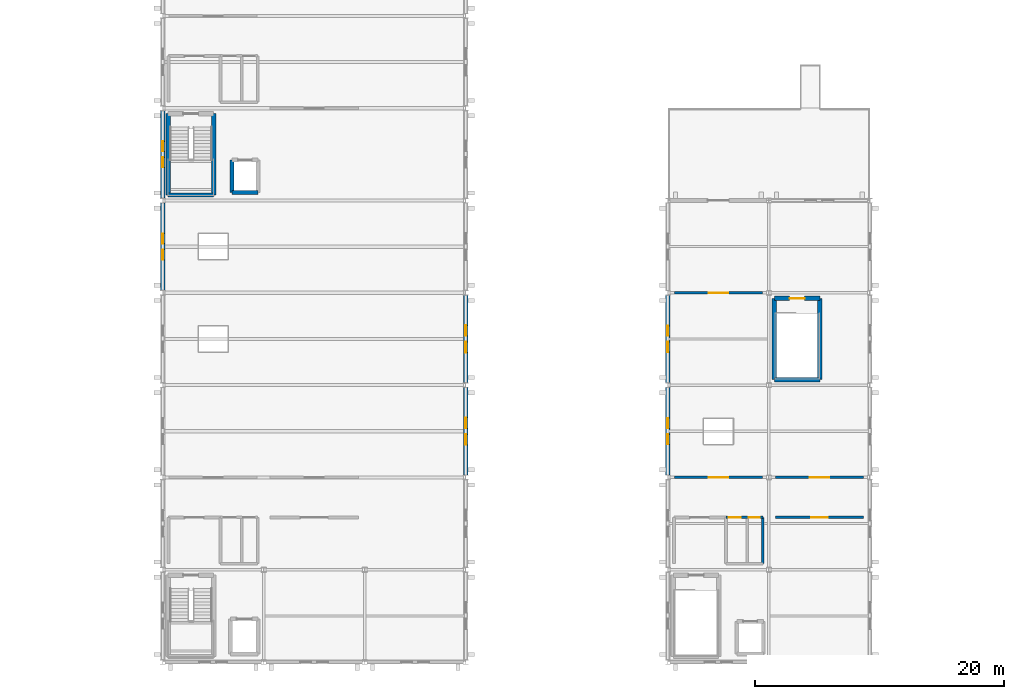
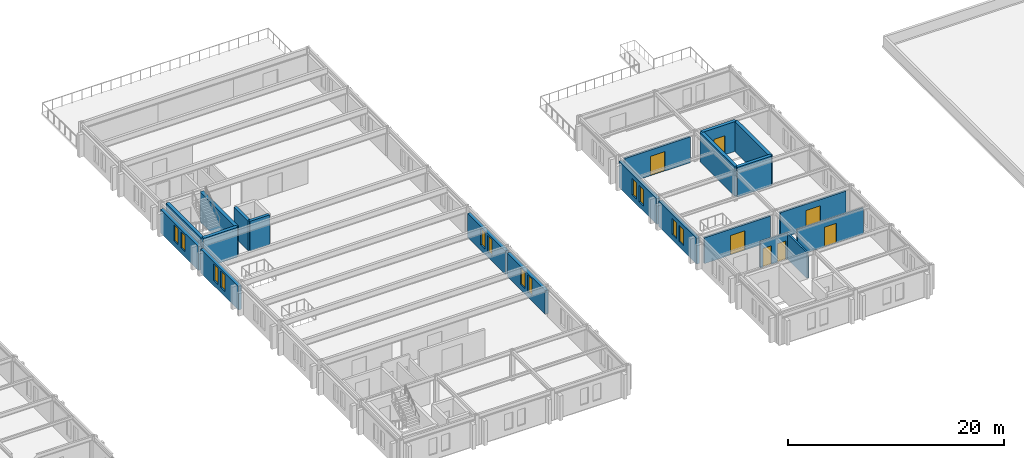
# One storey, part 12 of 19: 21 walls, 12 windows, 7 doors, 19 openings.
"""IFC4 building model written with IfcOpenShell, lengths in metres."""

import ifcopenshell
import ifcopenshell.guid

model = None  # the IFC model being written
_history = None  # IfcOwnerHistory: only IFC2X3 demands one
_inside = {}  # id of a spatial element -> (the spatial element, [elements in it])
_under = {}  # id of a project, library or spatial element -> (it, [spatial elements below it])
_declared = {}  # id of a project -> (the project, [libraries it declares])
_typed = {}  # id of a type object -> (the type object, [elements of that type])
_made_of = {}  # id of a material, layer set ... -> (it, [elements and type objects made of it])


def new_model(schema):
    """Start an empty IFC model of exactly this schema.

    Asked for "IFC4X3", IfcOpenShell would pick the latest addendum, in which some entities
    have other attributes; the version numbers below select the first issue.
    IFC2X3 requires an IfcOwnerHistory on every rooted entity: one is made here for all.
    """
    global model, _history
    if schema == "IFC4X3":
        model = ifcopenshell.file(schema_version=(4, 3, 0, 0))
    else:
        model = ifcopenshell.file(schema=schema)
    _inside.clear()
    _under.clear()
    _declared.clear()
    _typed.clear()
    _made_of.clear()
    _history = None
    if model.schema == "IFC2X3":
        org = make("IfcOrganization", Name="unknown")
        user = make(
            "IfcPersonAndOrganization",
            ThePerson=make("IfcPerson", FamilyName="unknown"),
            TheOrganization=org,
        )
        app = make(
            "IfcApplication",
            ApplicationDeveloper=org,
            Version="unknown",
            ApplicationFullName="unknown",
            ApplicationIdentifier="unknown",
        )
        _history = make(
            "IfcOwnerHistory",
            OwningUser=user,
            OwningApplication=app,
            ChangeAction="ADDED",
            CreationDate=0,
        )
    return model


def make(cls, **values):
    """One entity of the class cls with the attributes given. An attribute that is None is left unset."""
    return model.create_entity(
        cls, **{name: value for name, value in values.items() if value is not None}
    )


def rooted(cls, **values):
    """An entity with a GlobalId (a new one), such as an element, a storey or a relation."""
    return make(cls, GlobalId=ifcopenshell.guid.new(), OwnerHistory=_history, **values)


def si_unit(unit_type, name, prefix=None):
    """IfcSIUnit, for example si_unit("LENGTHUNIT", "METRE", prefix="MILLI")."""
    return make("IfcSIUnit", UnitType=unit_type, Prefix=prefix, Name=name)


def assignment(units):
    """IfcUnitAssignment: the units of a project."""
    return None if units is None else make("IfcUnitAssignment", Units=units)


def point(xyz):
    """IfcCartesianPoint."""
    return None if xyz is None else make("IfcCartesianPoint", Coordinates=xyz)


def direction(xyz):
    """IfcDirection."""
    return None if xyz is None else make("IfcDirection", DirectionRatios=xyz)


def frame(location, z_axis=None, x_axis=None):
    """IfcAxis2Placement3D, a coordinate frame: its origin and axes. An axis left out is left unset."""
    return make(
        "IfcAxis2Placement3D",
        Location=point(location),
        Axis=direction(z_axis),
        RefDirection=direction(x_axis),
    )


def frame_2d(location, x_axis=None):
    """IfcAxis2Placement2D, a coordinate frame in the plane: its origin and x axis."""
    return make(
        "IfcAxis2Placement2D", Location=point(location), RefDirection=direction(x_axis)
    )


def origin():
    """The frame at (0, 0, 0) with its axes left unset."""
    return frame((0.0, 0.0, 0.0))


def place(relative_to, where):
    """IfcLocalPlacement: puts the frame where relative to a parent placement (None: the world)."""
    return make(
        "IfcLocalPlacement", PlacementRelTo=relative_to, RelativePlacement=where
    )


def context(
    kind, dimensions, precision=None, world=None, true_north=None, identifier=None
):
    """IfcGeometricRepresentationContext, for example the 3D "Model" context."""
    return make(
        "IfcGeometricRepresentationContext",
        ContextIdentifier=identifier,
        ContextType=kind,
        CoordinateSpaceDimension=dimensions,
        Precision=precision,
        WorldCoordinateSystem=world,
        TrueNorth=true_north,
    )


def subcontext(parent, identifier, kind, view, scale=None):
    """IfcGeometricRepresentationSubContext, for example "Body" below "Model"."""
    return make(
        "IfcGeometricRepresentationSubContext",
        ContextIdentifier=identifier,
        ContextType=kind,
        ParentContext=parent,
        TargetScale=scale,
        TargetView=view,
    )


def project(units=None, contexts=None):
    """IfcProject with its units and contexts."""
    return rooted(
        "IfcProject",
        Name="project",
        RepresentationContexts=contexts,
        UnitsInContext=assignment(units),
    )


def spatial(cls, under=None, at=None, **own):
    """A site, building, storey or space (cls), placed at a placement, below another one or the project."""
    s = rooted(cls, ObjectPlacement=at, **own)
    if under is not None:
        _under.setdefault(under.id(), (under, []))[1].append(s)
    return s


def profile(cls, at=None, kind="AREA", **sizes):
    """A parametric profile (cls). Its sizes go by their IFC names, for example OverallWidth=200.0."""
    return make(cls, ProfileType=kind, Position=at, **sizes)


def rectangle(**sizes):
    """IfcRectangleProfileDef."""
    return profile("IfcRectangleProfileDef", **sizes)


def extrude(swept, where, along, depth):
    """IfcExtrudedAreaSolid: the profile swept, set in the frame where, extruded along a direction by depth."""
    return make(
        "IfcExtrudedAreaSolid",
        SweptArea=swept,
        Position=where,
        ExtrudedDirection=direction(along),
        Depth=depth,
    )


def shape(context_of_items, identifier, shape_type, items):
    """IfcShapeRepresentation: the items that make up one representation, for example the "Body"."""
    return make(
        "IfcShapeRepresentation",
        ContextOfItems=context_of_items,
        RepresentationIdentifier=identifier,
        RepresentationType=shape_type,
        Items=items,
    )


def material(Name=None, Category=None):
    """IfcMaterial."""
    return make("IfcMaterial", Name=Name, Category=Category)


def layer(
    of_material, thickness, ventilated=None, Name=None, Category=None, Priority=None
):
    """IfcMaterialLayer: one layer of a wall or slab, of a material (None: an air gap)."""
    return make(
        "IfcMaterialLayer",
        Material=of_material,
        LayerThickness=thickness,
        IsVentilated=ventilated,
        Name=Name,
        Category=Category,
        Priority=Priority,
    )


def layer_set(layers, Name=None):
    """IfcMaterialLayerSet."""
    return make("IfcMaterialLayerSet", MaterialLayers=layers, LayerSetName=Name)


def made_of(thing, what):
    """Note that an element or type object is made of a material, layer set ...; save() writes the relation."""
    if what is not None:
        _made_of.setdefault(what.id(), (what, []))[1].append(thing)
    return thing


def type_object(cls, material=None, **own):
    """A type object (cls), such as IfcWallType, which elements share."""
    return made_of(rooted(cls, **own), material)


def element(
    cls,
    number,
    at=None,
    inside=None,
    cuts=None,
    type_object=None,
    material=None,
    context=None,
    identifier="Body",
    shape_type=None,
    held_by="IfcProductDefinitionShape",
    body=None,
    shapes=None,
    **own,
):
    """One element of the class cls, such as IfcWall. Its Tag is "e" and its number.

    at: its placement. inside: the storey or other place that contains it. cuts: it is an
    opening in that element (IfcRelVoidsElement). A single representation is given by context,
    identifier, shape_type and body (its items); several are given by shapes. held_by: the class
    of the entity that holds the representations. save() writes the other relations.
    """
    e = rooted(cls, Tag="e%d" % number, ObjectPlacement=at, **own)
    if body is not None:
        shapes = [shape(context, identifier, shape_type, body)]
    if shapes is not None:
        e.Representation = make(held_by, Representations=shapes)
    if inside is not None:
        _inside.setdefault(inside.id(), (inside, []))[1].append(e)
    if cuts is not None:
        rooted(
            "IfcRelVoidsElement", RelatingBuildingElement=cuts, RelatedOpeningElement=e
        )
    if type_object is not None:
        _typed.setdefault(type_object.id(), (type_object, []))[1].append(e)
    return made_of(e, material)


def fill(opening, filler):
    """IfcRelFillsElement: the door or window that sits in an opening."""
    return rooted(
        "IfcRelFillsElement",
        RelatingOpeningElement=opening,
        RelatedBuildingElement=filler,
    )


def aggregate(whole, parts):
    """IfcRelAggregates: a whole, such as a stair, and the parts it consists of."""
    return rooted("IfcRelAggregates", RelatingObject=whole, RelatedObjects=parts)


def save(model, path):
    """Write the relations noted so far, then the file.

    IfcRelAggregates (storeys below a building ...), IfcRelContainedInSpatialStructure (elements
    in a storey), IfcRelDefinesByType, IfcRelAssociatesMaterial and IfcRelDeclares: one each for
    every whole, place, type object, material and project.
    """
    for whole, parts in _under.values():
        aggregate(whole, parts)
    for where, things in _inside.values():
        rooted(
            "IfcRelContainedInSpatialStructure",
            RelatedElements=things,
            RelatingStructure=where,
        )
    for kind, things in _typed.values():
        rooted("IfcRelDefinesByType", RelatedObjects=things, RelatingType=kind)
    for what, things in _made_of.values():
        rooted("IfcRelAssociatesMaterial", RelatedObjects=things, RelatingMaterial=what)
    for by, libraries in _declared.values():
        rooted("IfcRelDeclares", RelatingContext=by, RelatedDefinitions=libraries)
    model.write(path)


model = new_model("IFC4")

# Units and contexts
model_context = context("Model", 3, precision=1e-05, world=origin(), true_north=direction((0.0, 1.0)))
body_context = subcontext(model_context, "Body", "Model", "MODEL_VIEW")
ifc_project = project(units=[si_unit("LENGTHUNIT", "METRE"), si_unit("AREAUNIT", "SQUARE_METRE"), si_unit("VOLUMEUNIT", "CUBIC_METRE"), si_unit("PLANEANGLEUNIT", "RADIAN"), si_unit("MASSUNIT", "GRAM", prefix="KILO")], contexts=[model_context])

# Site, building, storey
site_placement = place(None, origin())
site = spatial("IfcSite", under=ifc_project, at=site_placement, CompositionType="ELEMENT")
building_placement = place(site_placement, origin())
building = spatial("IfcBuilding", under=site, at=building_placement, Name="Cimatlan Art Gallery", CompositionType="ELEMENT")
storey_placement = place(building_placement, frame((0.0, 0.0, 17.39990234375)))
storey = spatial("IfcBuildingStorey", under=building, at=storey_placement, Name="L04", CompositionType="ELEMENT", Elevation=17.39990234375)

# Walls
ifc_material_1 = material(Name="Concrete C40/50", Category="concrete")
ifc_layer_1 = layer(ifc_material_1, 0.31005859375)
ifc_layer_set_1 = layer_set([ifc_layer_1], Name="Concrete C40/50")
wall_type_1 = type_object("IfcWallType", Name="W-CORE-310", PredefinedType="SHEAR", material=ifc_layer_set_1)
wall_1_placement = place(storey_placement, frame((80.449951171875, 61.550048828125, 0.0), z_axis=(0.0, 0.0, 1.0), x_axis=(0.0, 1.0, 0.0)))
element("IfcWall", 1, at=wall_1_placement, inside=storey, type_object=wall_type_1, Name="WL-SHFT-C6-L04-LW", PredefinedType="SHEAR", context=body_context, shape_type="SweptSolid", body=[
    extrude(rectangle(XDim=2.599853515625, YDim=0.31005859375, at=frame_2d((1.2998046875, 0.0))), origin(), (0.0, 0.0, 1.0), 3.375),
])
wall_2_placement = place(storey_placement, frame((80.449951171875, 61.550048828125, 0.0), z_axis=(0.0, 0.0, 1.0), x_axis=(1.0, 0.0, 0.0)))
element("IfcWall", 2, at=wall_2_placement, inside=storey, type_object=wall_type_1, Name="WL-SHFT-C6-L04-LS", PredefinedType="SHEAR", context=body_context, shape_type="SweptSolid", body=[
    extrude(rectangle(XDim=2.10009765625, YDim=0.31005859375, at=frame_2d((1.050048828125, 0.0))), origin(), (0.0, 0.0, 1.0), 3.375),
])
ifc_layer_2 = layer(ifc_material_1, 0.35009765625)
ifc_layer_set_2 = layer_set([ifc_layer_2], Name="Concrete C40/50")
wall_type_2 = type_object("IfcWallType", Name="W-CORE-350", PredefinedType="SHEAR", material=ifc_layer_set_2)
wall_3_placement = place(storey_placement, frame((75.340087890625, 61.340087890625, 0.0), z_axis=(0.0, 0.0, 1.0), x_axis=(0.0, 1.0, 0.0)))
element("IfcWall", 3, at=wall_3_placement, inside=storey, type_object=wall_type_2, Name="WL-CORE-C6-L04-SW", PredefinedType="SHEAR", context=body_context, shape_type="SweptSolid", body=[
    extrude(rectangle(XDim=6.52001953125, YDim=0.35009765625, at=frame_2d((3.260009765625, 0.0))), origin(), (0.0, 0.0, 1.0), 3.375),
])
wall_4_placement = place(storey_placement, frame((75.340087890625, 61.340087890625, 0.0), z_axis=(0.0, 0.0, 1.0), x_axis=(1.0, 0.0, 0.0)))
element("IfcWall", 4, at=wall_4_placement, inside=storey, type_object=wall_type_2, Name="WL-CORE-C6-L04-SS", PredefinedType="SHEAR", context=body_context, shape_type="SweptSolid", body=[
    extrude(rectangle(XDim=3.639892578125, YDim=0.35009765625, at=frame_2d((1.81982421875, 0.0))), origin(), (0.0, 0.0, 1.0), 3.375),
])
for number, where, z_axis, x_axis, name in (
    (5, (78.97998046875, 61.340087890625, 0.0), (0.0, 0.0, 1.0), (0.0, 1.0, 0.0), "WL-CORE-C6-L04-SE"),
    (6, (123.93994140625, 46.5400390625, 0.0), (0.0, 0.0, 1.0), (0.0, 1.0, 0.0), "WL-CORE-C9-L04-SW"),
):
    element("IfcWall", number, at=place(storey_placement, frame(where, z_axis=z_axis, x_axis=x_axis)), inside=storey, type_object=wall_type_2, Name=name, PredefinedType="SHEAR", context=body_context, shape_type="SweptSolid", body=[
        extrude(rectangle(XDim=6.52001953125, YDim=0.35009765625, at=frame_2d((3.260009765625, 0.0))), origin(), (0.0, 0.0, 1.0), 3.375),
    ])
wall_5_placement = place(storey_placement, frame((123.93994140625, 46.5400390625, 0.0), z_axis=(0.0, 0.0, 1.0), x_axis=(1.0, 0.0, 0.0)))
element("IfcWall", 7, at=wall_5_placement, inside=storey, type_object=wall_type_2, Name="WL-CORE-C9-L04-SS", PredefinedType="SHEAR", context=body_context, shape_type="SweptSolid", body=[
    extrude(rectangle(XDim=3.64013671875, YDim=0.35009765625, at=frame_2d((1.820068359375, 0.0))), origin(), (0.0, 0.0, 1.0), 3.375),
])
wall_6_placement = place(storey_placement, frame((127.580078125, 46.5400390625, 0.0), z_axis=(0.0, 0.0, 1.0), x_axis=(0.0, 1.0, 0.0)))
element("IfcWall", 8, at=wall_6_placement, inside=storey, type_object=wall_type_2, Name="WL-CORE-C9-L04-SE", PredefinedType="SHEAR", context=body_context, shape_type="SweptSolid", body=[
    extrude(rectangle(XDim=6.52001953125, YDim=0.35009765625, at=frame_2d((3.260009765625, 0.0))), origin(), (0.0, 0.0, 1.0), 3.375),
])

# Wall, opening, door
wall_7_placement = place(storey_placement, frame((123.93994140625, 53.06005859375, 0.0), z_axis=(0.0, 0.0, 1.0), x_axis=(1.0, 0.0, 0.0)))
wall_7 = element("IfcWall", 9, at=wall_7_placement, inside=storey, type_object=wall_type_2, Name="WL-CORE-C9-L04-SN", PredefinedType="SHEAR", context=body_context, shape_type="SweptSolid", body=[
    extrude(rectangle(XDim=3.64013671875, YDim=0.35009765625, at=frame_2d((1.820068359375, 0.0))), origin(), (0.0, 0.0, 1.0), 3.375),
])
opening_1_placement = place(wall_7_placement, frame((1.219970703125, 0.0, 0.0)))
opening_1 = element("IfcOpeningElement", 10, at=opening_1_placement, cuts=wall_7, Name="Opening FD-C9-L04", PredefinedType="OPENING", context=body_context, shape_type="SweptSolid", body=[
    extrude(rectangle(XDim=1.199951171875, YDim=2.14990234375, at=frame_2d((0.60009765625, 1.074951171875))), frame((0.0, 0.18505859375, 0.0), z_axis=(0.0, -1.0, 0.0), x_axis=(1.0, 0.0, 0.0)), (0.0, 0.0, 1.0), 0.3701171875),
])
ifc_material_2 = material(Name="Fire-resisting steel acoustic stair door", Category="steel")
door_type_1 = type_object("IfcDoorType", Name="FD-ST-1200", OperationType="NOTDEFINED", PredefinedType="DOOR", material=ifc_material_2)
door_1_placement = place(opening_1_placement, origin())
door_1 = element("IfcDoor", 11, at=door_1_placement, inside=storey, type_object=door_type_1, Name="DR-C9-L04-ST", OperationType="SINGLE_SWING_RIGHT", OverallHeight=2.14990234375, OverallWidth=1.199951171875, PredefinedType="DOOR", context=body_context, shape_type="SweptSolid", body=[
    extrude(rectangle(XDim=1.199951171875, YDim=2.14990234375, at=frame_2d((0.60009765625, 1.074951171875))), frame((0.0, 0.02490234375, 0.0), z_axis=(0.0, -1.0, 0.0), x_axis=(1.0, 0.0, 0.0)), (0.0, 0.0, 1.0), 0.050048828125),
])
fill(opening_1, door_1)

ifc_material_3 = material(Name="Acoustic gypsum and steel stud partition", Category="steel")
ifc_layer_3 = layer(ifc_material_3, 0.205078125)
ifc_layer_set_3 = layer_set([ifc_layer_3], Name="Acoustic gypsum and steel stud partition")
wall_type_3 = type_object("IfcWallType", Name="W-GAL-205", PredefinedType="PARTITIONING", material=ifc_layer_set_3)
wall_8_placement = place(storey_placement, frame((115.919921875, 38.699951171875, 0.0), z_axis=(0.0, 0.0, 1.0), x_axis=(1.0, 0.0, 0.0)))
wall_8 = element("IfcWall", 12, at=wall_8_placement, inside=storey, type_object=wall_type_3, Name="WL-RM-L04-GAL-E1", PredefinedType="PARTITIONING", context=body_context, shape_type="SweptSolid", body=[
    extrude(rectangle(XDim=7.06005859375, YDim=0.205078125, at=frame_2d((3.530029296875, 0.0))), origin(), (0.0, 0.0, 1.0), 2.9130859375),
])
opening_2_placement = place(wall_8_placement, frame((2.7548828125, 0.0, 0.0)))
opening_2 = element("IfcOpeningElement", 13, at=opening_2_placement, cuts=wall_8, Name="Opening DI-0271", PredefinedType="OPENING", context=body_context, shape_type="SweptSolid", body=[
    extrude(rectangle(XDim=1.550048828125, YDim=2.199951171875, at=frame_2d((0.77490234375, 1.10009765625))), frame((0.0, 0.112548828125, 0.0), z_axis=(0.0, -1.0, 0.0), x_axis=(1.0, 0.0, 0.0)), (0.0, 0.0, 1.0), 0.22509765625),
])
ifc_material_4 = material(Name="European oak upper gallery door")
door_type_2 = type_object("IfcDoorType", Name="DI-GL-1550", OperationType="NOTDEFINED", PredefinedType="DOOR", material=ifc_material_4)
door_2_placement = place(opening_2_placement, origin())
door_2 = element("IfcDoor", 14, at=door_2_placement, inside=storey, type_object=door_type_2, Name="DR-RM-L04-GAL-E1", OperationType="SINGLE_SWING_LEFT", OverallHeight=2.199951171875, OverallWidth=1.550048828125, PredefinedType="DOOR", context=body_context, shape_type="SweptSolid", body=[
    extrude(rectangle(XDim=1.550048828125, YDim=2.199951171875, at=frame_2d((0.77490234375, 1.10009765625))), frame((0.0, 0.02490234375, 0.0), z_axis=(0.0, -1.0, 0.0), x_axis=(1.0, 0.0, 0.0)), (0.0, 0.0, 1.0), 0.050048828125),
])
fill(opening_2, door_2)

wall_9_placement = place(storey_placement, frame((124.02001953125, 38.699951171875, 0.0), z_axis=(0.0, 0.0, 1.0), x_axis=(1.0, 0.0, 0.0)))
wall_9 = element("IfcWall", 15, at=wall_9_placement, inside=storey, type_object=wall_type_3, Name="WL-RM-L04-GAL-E2", PredefinedType="PARTITIONING", context=body_context, shape_type="SweptSolid", body=[
    extrude(rectangle(XDim=7.06005859375, YDim=0.205078125, at=frame_2d((3.530029296875, 0.0))), origin(), (0.0, 0.0, 1.0), 2.9130859375),
])
opening_3_placement = place(wall_9_placement, frame((2.7548828125, 0.0, 0.0)))
opening_3 = element("IfcOpeningElement", 16, at=opening_3_placement, cuts=wall_9, Name="Opening DI-0272", PredefinedType="OPENING", context=body_context, shape_type="SweptSolid", body=[
    extrude(rectangle(XDim=1.550048828125, YDim=2.199951171875, at=frame_2d((0.77490234375, 1.10009765625))), frame((0.0, 0.112548828125, 0.0), z_axis=(0.0, -1.0, 0.0), x_axis=(1.0, 0.0, 0.0)), (0.0, 0.0, 1.0), 0.22509765625),
])
door_3_placement = place(opening_3_placement, origin())
door_3 = element("IfcDoor", 17, at=door_3_placement, inside=storey, type_object=door_type_2, Name="DR-RM-L04-GAL-E2", OperationType="SINGLE_SWING_RIGHT", OverallHeight=2.199951171875, OverallWidth=1.550048828125, PredefinedType="DOOR", context=body_context, shape_type="SweptSolid", body=[
    extrude(rectangle(XDim=1.550048828125, YDim=2.199951171875, at=frame_2d((0.77490234375, 1.10009765625))), frame((0.0, 0.02490234375, 0.0), z_axis=(0.0, -1.0, 0.0), x_axis=(1.0, 0.0, 0.0)), (0.0, 0.0, 1.0), 0.050048828125),
])
fill(opening_3, door_3)

wall_10_placement = place(storey_placement, frame((115.919921875, 53.5, 0.0), z_axis=(0.0, 0.0, 1.0), x_axis=(1.0, 0.0, 0.0)))
wall_10 = element("IfcWall", 18, at=wall_10_placement, inside=storey, type_object=wall_type_3, Name="WL-RM-L04-GAL-E3", PredefinedType="PARTITIONING", context=body_context, shape_type="SweptSolid", body=[
    extrude(rectangle(XDim=7.06005859375, YDim=0.205078125, at=frame_2d((3.530029296875, 0.0))), origin(), (0.0, 0.0, 1.0), 2.9130859375),
])
opening_4_placement = place(wall_10_placement, frame((2.7548828125, 0.0, 0.0)))
opening_4 = element("IfcOpeningElement", 19, at=opening_4_placement, cuts=wall_10, Name="Opening DI-0273", PredefinedType="OPENING", context=body_context, shape_type="SweptSolid", body=[
    extrude(rectangle(XDim=1.550048828125, YDim=2.199951171875, at=frame_2d((0.77490234375, 1.10009765625))), frame((0.0, 0.112548828125, 0.0), z_axis=(0.0, -1.0, 0.0), x_axis=(1.0, 0.0, 0.0)), (0.0, 0.0, 1.0), 0.22509765625),
])
door_4_placement = place(opening_4_placement, origin())
door_4 = element("IfcDoor", 20, at=door_4_placement, inside=storey, type_object=door_type_2, Name="DR-RM-L04-GAL-E3", OperationType="SINGLE_SWING_LEFT", OverallHeight=2.199951171875, OverallWidth=1.550048828125, PredefinedType="DOOR", context=body_context, shape_type="SweptSolid", body=[
    extrude(rectangle(XDim=1.550048828125, YDim=2.199951171875, at=frame_2d((0.77490234375, 1.10009765625))), frame((0.0, 0.02490234375, 0.0), z_axis=(0.0, -1.0, 0.0), x_axis=(1.0, 0.0, 0.0)), (0.0, 0.0, 1.0), 0.050048828125),
])
fill(opening_4, door_4)

# Wall
ifc_material_5 = material(Name="Moisture-resistant fire-rated plumbing wall")
ifc_layer_4 = layer(ifc_material_5, 0.195068359375)
ifc_layer_set_4 = layer_set([ifc_layer_4], Name="Moisture-resistant fire-rated plumbing wall")
wall_type_4 = type_object("IfcWallType", Name="W-PLM-195", PredefinedType="PARTITIONING", material=ifc_layer_set_4)
wall_11_placement = place(storey_placement, frame((123.02001953125, 31.780029296875, 0.0), z_axis=(0.0, 0.0, 1.0), x_axis=(0.0, 1.0, 0.0)))
element("IfcWall", 21, at=wall_11_placement, inside=storey, type_object=wall_type_4, Name="WL-LOB-C4-L04-E", PredefinedType="PARTITIONING", context=body_context, shape_type="SweptSolid", body=[
    extrude(rectangle(XDim=3.719970703125, YDim=0.195068359375, at=frame_2d((1.85986328125, 0.0))), origin(), (0.0, 0.0, 1.0), 2.9130859375),
])

# Wall, openings, doors
wall_12_placement = place(storey_placement, frame((120.050048828125, 35.5, 0.0), z_axis=(0.0, 0.0, 1.0), x_axis=(1.0, 0.0, 0.0)))
wall_12 = element("IfcWall", 22, at=wall_12_placement, inside=storey, type_object=wall_type_4, Name="WL-WC-C4-L04-N", PredefinedType="PARTITIONING", context=body_context, shape_type="SweptSolid", body=[
    extrude(rectangle(XDim=2.969970703125, YDim=0.195068359375, at=frame_2d((1.48486328125, 0.0))), origin(), (0.0, 0.0, 1.0), 2.9130859375),
])
opening_5_placement = place(wall_12_placement, frame((0.25, 0.0, 0.0)))
opening_5 = element("IfcOpeningElement", 23, at=opening_5_placement, cuts=wall_12, Name="Opening DWC-C4A-L04", PredefinedType="OPENING", context=body_context, shape_type="SweptSolid", body=[
    extrude(rectangle(XDim=0.949951171875, YDim=2.10009765625, at=frame_2d((0.47509765625, 1.050048828125))), frame((0.0, 0.107421875, 0.0), z_axis=(0.0, -1.0, 0.0), x_axis=(1.0, 0.0, 0.0)), (0.0, 0.0, 1.0), 0.215087890625),
])
opening_6_placement = place(wall_12_placement, frame((1.820068359375, 0.0, 0.0)))
opening_6 = element("IfcOpeningElement", 24, at=opening_6_placement, cuts=wall_12, Name="Opening DWC-C4B-L04", PredefinedType="OPENING", context=body_context, shape_type="SweptSolid", body=[
    extrude(rectangle(XDim=0.89990234375, YDim=2.10009765625, at=frame_2d((0.449951171875, 1.050048828125))), frame((0.0, 0.107421875, 0.0), z_axis=(0.0, -1.0, 0.0), x_axis=(1.0, 0.0, 0.0)), (0.0, 0.0, 1.0), 0.215087890625),
])
ifc_material_6 = material(Name="Sanitary room door")
door_type_3 = type_object("IfcDoorType", Name="DI-WC-0900", OperationType="NOTDEFINED", PredefinedType="DOOR", material=ifc_material_6)
door_5_placement = place(opening_6_placement, origin())
door_5 = element("IfcDoor", 25, at=door_5_placement, inside=storey, type_object=door_type_3, Name="DR-PWC-C4-L04", OperationType="SINGLE_SWING_RIGHT", OverallHeight=2.10009765625, OverallWidth=0.89990234375, PredefinedType="DOOR", context=body_context, shape_type="SweptSolid", body=[
    extrude(rectangle(XDim=0.89990234375, YDim=2.10009765625, at=frame_2d((0.449951171875, 1.050048828125))), frame((0.0, 0.02490234375, 0.0), z_axis=(0.0, -1.0, 0.0), x_axis=(1.0, 0.0, 0.0)), (0.0, 0.0, 1.0), 0.050048828125),
])
fill(opening_6, door_5)
ifc_material_7 = material(Name="Accessible sanitary room door")
door_type_4 = type_object("IfcDoorType", Name="DI-WC-0950", OperationType="NOTDEFINED", PredefinedType="DOOR", material=ifc_material_7)
door_6_placement = place(opening_5_placement, origin())
door_6 = element("IfcDoor", 26, at=door_6_placement, inside=storey, type_object=door_type_4, Name="DR-AWC-C4-L04", OperationType="SINGLE_SWING_LEFT", OverallHeight=2.10009765625, OverallWidth=0.949951171875, PredefinedType="DOOR", context=body_context, shape_type="SweptSolid", body=[
    extrude(rectangle(XDim=0.949951171875, YDim=2.10009765625, at=frame_2d((0.47509765625, 1.050048828125))), frame((0.0, 0.02490234375, 0.0), z_axis=(0.0, -1.0, 0.0), x_axis=(1.0, 0.0, 0.0)), (0.0, 0.0, 1.0), 0.050048828125),
])
fill(opening_5, door_6)

# Wall, opening, door
ifc_layer_5 = layer(ifc_material_3, 0.179931640625)
ifc_layer_set_5 = layer_set([ifc_layer_5], Name="Acoustic gypsum and steel stud partition")
wall_type_5 = type_object("IfcWallType", Name="W-STD-180", PredefinedType="PARTITIONING", material=ifc_layer_set_5)
wall_13_placement = place(storey_placement, frame((124.02001953125, 35.5, 0.0), z_axis=(0.0, 0.0, 1.0), x_axis=(1.0, 0.0, 0.0)))
wall_13 = element("IfcWall", 27, at=wall_13_placement, inside=storey, type_object=wall_type_5, Name="WL-RM-L04-CNS-01", PredefinedType="PARTITIONING", context=body_context, shape_type="SweptSolid", body=[
    extrude(rectangle(XDim=7.06005859375, YDim=0.179931640625, at=frame_2d((3.530029296875, 0.0))), origin(), (0.0, 0.0, 1.0), 2.9130859375),
])
opening_7_placement = place(wall_13_placement, frame((2.8798828125, 0.0, 0.0)))
opening_7 = element("IfcOpeningElement", 28, at=opening_7_placement, cuts=wall_13, Name="Opening DI-0270", PredefinedType="OPENING", context=body_context, shape_type="SweptSolid", body=[
    extrude(rectangle(XDim=1.300048828125, YDim=2.199951171875, at=frame_2d((0.64990234375, 1.10009765625))), frame((0.0, 0.10009765625, 0.0), z_axis=(0.0, -1.0, 0.0), x_axis=(1.0, 0.0, 0.0)), (0.0, 0.0, 1.0), 0.199951171875),
])
ifc_material_8 = material(Name="Conservation laboratory double-leaf door")
door_type_5 = type_object("IfcDoorType", Name="DI-CN-1300", OperationType="NOTDEFINED", PredefinedType="DOOR", material=ifc_material_8)
door_7_placement = place(opening_7_placement, origin())
door_7 = element("IfcDoor", 29, at=door_7_placement, inside=storey, type_object=door_type_5, Name="DR-RM-L04-CNS-01", OperationType="SINGLE_SWING_RIGHT", OverallHeight=2.199951171875, OverallWidth=1.300048828125, PredefinedType="DOOR", context=body_context, shape_type="SweptSolid", body=[
    extrude(rectangle(XDim=1.300048828125, YDim=2.199951171875, at=frame_2d((0.64990234375, 1.10009765625))), frame((0.0, 0.02490234375, 0.0), z_axis=(0.0, -1.0, 0.0), x_axis=(1.0, 0.0, 0.0)), (0.0, 0.0, 1.0), 0.050048828125),
])
fill(opening_7, door_7)

# Wall, openings, windows
ifc_material_9 = material(Name="Precast concrete C40/50", Category="concrete")
ifc_layer_6 = layer(ifc_material_9, 0.340087890625)
ifc_layer_set_6 = layer_set([ifc_layer_6], Name="Precast concrete C40/50")
wall_type_6 = type_object("IfcWallType", Name="WL-EXT-STD-340", PredefinedType="SOLIDWALL", material=ifc_layer_set_6)
wall_14_placement = place(storey_placement, frame((74.89990234375, 53.69189453125, 0.0), z_axis=(0.0, 0.0, 1.0), x_axis=(0.0, 1.0, 0.0)))
wall_14 = element("IfcWall", 30, at=wall_14_placement, inside=storey, type_object=wall_type_6, Name="WL-EXT-L04-09-07-W", PredefinedType="SOLIDWALL", context=body_context, shape_type="SweptSolid", body=[
    extrude(rectangle(XDim=7.01611328125, YDim=0.340087890625, at=frame_2d((3.508056640625, 0.0))), origin(), (0.0, 0.0, 1.0), 2.68115234375),
])
opening_8_placement = place(wall_14_placement, frame((2.4580078125, 0.0, 0.60009765625)))
opening_8 = element("IfcOpeningElement", 31, at=opening_8_placement, cuts=wall_14, Name="Opening WN-0341", PredefinedType="OPENING", context=body_context, shape_type="SweptSolid", body=[
    extrude(rectangle(XDim=0.81005859375, YDim=1.840087890625, at=frame_2d((0.405029296875, 0.919921875))), frame((0.0, 0.18017578125, 0.0), z_axis=(0.0, -1.0, 0.0), x_axis=(1.0, 0.0, 0.0)), (0.0, 0.0, 1.0), 0.360107421875),
])
opening_9_placement = place(wall_14_placement, frame((3.748046875, 0.0, 0.60009765625)))
opening_9 = element("IfcOpeningElement", 32, at=opening_9_placement, cuts=wall_14, Name="Opening WN-0342", PredefinedType="OPENING", context=body_context, shape_type="SweptSolid", body=[
    extrude(rectangle(XDim=0.81005859375, YDim=1.840087890625, at=frame_2d((0.405029296875, 0.919921875))), frame((0.0, 0.18017578125, 0.0), z_axis=(0.0, -1.0, 0.0), x_axis=(1.0, 0.0, 0.0)), (0.0, 0.0, 1.0), 0.360107421875),
])
ifc_material_10 = material(Name="Low-E laminated double glazing in bronze lancet frame", Category="glass")
window_type_1 = type_object("IfcWindowType", Name="WIN-W-L04-0810X1840", PartitioningType="SINGLE_PANEL", PredefinedType="WINDOW", material=ifc_material_10)
window_1_placement = place(opening_8_placement, origin())
window_1 = element("IfcWindow", 33, at=window_1_placement, inside=storey, type_object=window_type_1, Name="WIN-0341", OverallHeight=1.840087890625, OverallWidth=0.81005859375, PartitioningType="SINGLE_PANEL", PredefinedType="WINDOW", context=body_context, shape_type="SweptSolid", body=[
    extrude(rectangle(XDim=0.81005859375, YDim=1.840087890625, at=frame_2d((0.405029296875, 0.919921875))), frame((0.0, 0.030029296875, 0.0), z_axis=(0.0, -1.0, 0.0), x_axis=(1.0, 0.0, 0.0)), (0.0, 0.0, 1.0), 0.06005859375),
])
fill(opening_8, window_1)
window_2_placement = place(opening_9_placement, origin())
window_2 = element("IfcWindow", 34, at=window_2_placement, inside=storey, type_object=window_type_1, Name="WIN-0342", OverallHeight=1.840087890625, OverallWidth=0.81005859375, PartitioningType="SINGLE_PANEL", PredefinedType="WINDOW", context=body_context, shape_type="SweptSolid", body=[
    extrude(rectangle(XDim=0.81005859375, YDim=1.840087890625, at=frame_2d((0.405029296875, 0.919921875))), frame((0.0, 0.030029296875, 0.0), z_axis=(0.0, -1.0, 0.0), x_axis=(1.0, 0.0, 0.0)), (0.0, 0.0, 1.0), 0.06005859375),
])
fill(opening_9, window_2)

wall_15_placement = place(storey_placement, frame((74.89990234375, 61.092041015625, 0.0), z_axis=(0.0, 0.0, 1.0), x_axis=(0.0, 1.0, 0.0)))
wall_15 = element("IfcWall", 35, at=wall_15_placement, inside=storey, type_object=wall_type_6, Name="WL-EXT-L04-09-08-W", PredefinedType="SOLIDWALL", context=body_context, shape_type="SweptSolid", body=[
    extrude(rectangle(XDim=7.015869140625, YDim=0.340087890625, at=frame_2d((3.5078125, 0.0))), origin(), (0.0, 0.0, 1.0), 2.68115234375),
])
opening_10_placement = place(wall_15_placement, frame((2.4580078125, 0.0, 0.60009765625)))
opening_10 = element("IfcOpeningElement", 36, at=opening_10_placement, cuts=wall_15, Name="Opening WN-0343", PredefinedType="OPENING", context=body_context, shape_type="SweptSolid", body=[
    extrude(rectangle(XDim=0.81005859375, YDim=1.840087890625, at=frame_2d((0.405029296875, 0.919921875))), frame((0.0, 0.18017578125, 0.0), z_axis=(0.0, -1.0, 0.0), x_axis=(1.0, 0.0, 0.0)), (0.0, 0.0, 1.0), 0.360107421875),
])
opening_11_placement = place(wall_15_placement, frame((3.748046875, 0.0, 0.60009765625)))
opening_11 = element("IfcOpeningElement", 37, at=opening_11_placement, cuts=wall_15, Name="Opening WN-0344", PredefinedType="OPENING", context=body_context, shape_type="SweptSolid", body=[
    extrude(rectangle(XDim=0.81005859375, YDim=1.840087890625, at=frame_2d((0.405029296875, 0.919921875))), frame((0.0, 0.18017578125, 0.0), z_axis=(0.0, -1.0, 0.0), x_axis=(1.0, 0.0, 0.0)), (0.0, 0.0, 1.0), 0.360107421875),
])
window_3_placement = place(opening_10_placement, origin())
window_3 = element("IfcWindow", 38, at=window_3_placement, inside=storey, type_object=window_type_1, Name="WIN-0343", OverallHeight=1.840087890625, OverallWidth=0.81005859375, PartitioningType="SINGLE_PANEL", PredefinedType="WINDOW", context=body_context, shape_type="SweptSolid", body=[
    extrude(rectangle(XDim=0.81005859375, YDim=1.840087890625, at=frame_2d((0.405029296875, 0.919921875))), frame((0.0, 0.030029296875, 0.0), z_axis=(0.0, -1.0, 0.0), x_axis=(1.0, 0.0, 0.0)), (0.0, 0.0, 1.0), 0.06005859375),
])
fill(opening_10, window_3)
window_4_placement = place(opening_11_placement, origin())
window_4 = element("IfcWindow", 39, at=window_4_placement, inside=storey, type_object=window_type_1, Name="WIN-0344", OverallHeight=1.840087890625, OverallWidth=0.81005859375, PartitioningType="SINGLE_PANEL", PredefinedType="WINDOW", context=body_context, shape_type="SweptSolid", body=[
    extrude(rectangle(XDim=0.81005859375, YDim=1.840087890625, at=frame_2d((0.405029296875, 0.919921875))), frame((0.0, 0.030029296875, 0.0), z_axis=(0.0, -1.0, 0.0), x_axis=(1.0, 0.0, 0.0)), (0.0, 0.0, 1.0), 0.06005859375),
])
fill(opening_11, window_4)

wall_16_placement = place(storey_placement, frame((99.199951171875, 45.907958984375, 0.0), z_axis=(0.0, 0.0, 1.0), x_axis=(0.0, -1.0, 0.0)))
wall_16 = element("IfcWall", 40, at=wall_16_placement, inside=storey, type_object=wall_type_6, Name="WL-EXT-L04-11-05-E", PredefinedType="SOLIDWALL", context=body_context, shape_type="SweptSolid", body=[
    extrude(rectangle(XDim=7.015869140625, YDim=0.340087890625, at=frame_2d((3.5078125, 0.0))), origin(), (0.0, 0.0, 1.0), 2.68115234375),
])
opening_12_placement = place(wall_16_placement, frame((2.41796875, 0.0, 0.60009765625)))
opening_12 = element("IfcOpeningElement", 41, at=opening_12_placement, cuts=wall_16, Name="Opening WN-0357", PredefinedType="OPENING", context=body_context, shape_type="SweptSolid", body=[
    extrude(rectangle(XDim=0.85009765625, YDim=1.8798828125, at=frame_2d((0.425048828125, 0.93994140625))), frame((0.0, 0.18017578125, 0.0), z_axis=(0.0, -1.0, 0.0), x_axis=(1.0, 0.0, 0.0)), (0.0, 0.0, 1.0), 0.360107421875),
])
opening_13_placement = place(wall_16_placement, frame((3.748046875, 0.0, 0.60009765625)))
opening_13 = element("IfcOpeningElement", 42, at=opening_13_placement, cuts=wall_16, Name="Opening WN-0358", PredefinedType="OPENING", context=body_context, shape_type="SweptSolid", body=[
    extrude(rectangle(XDim=0.85009765625, YDim=1.8798828125, at=frame_2d((0.425048828125, 0.93994140625))), frame((0.0, 0.18017578125, 0.0), z_axis=(0.0, -1.0, 0.0), x_axis=(1.0, 0.0, 0.0)), (0.0, 0.0, 1.0), 0.360107421875),
])
window_type_2 = type_object("IfcWindowType", Name="WIN-E-L04-0850X1880", PartitioningType="SINGLE_PANEL", PredefinedType="WINDOW", material=ifc_material_10)
window_5_placement = place(opening_12_placement, origin())
window_5 = element("IfcWindow", 43, at=window_5_placement, inside=storey, type_object=window_type_2, Name="WIN-0357", OverallHeight=1.8798828125, OverallWidth=0.85009765625, PartitioningType="SINGLE_PANEL", PredefinedType="WINDOW", context=body_context, shape_type="SweptSolid", body=[
    extrude(rectangle(XDim=0.85009765625, YDim=1.8798828125, at=frame_2d((0.425048828125, 0.93994140625))), frame((0.0, 0.030029296875, 0.0), z_axis=(0.0, -1.0, 0.0), x_axis=(1.0, 0.0, 0.0)), (0.0, 0.0, 1.0), 0.06005859375),
])
fill(opening_12, window_5)
window_6_placement = place(opening_13_placement, origin())
window_6 = element("IfcWindow", 44, at=window_6_placement, inside=storey, type_object=window_type_2, Name="WIN-0358", OverallHeight=1.8798828125, OverallWidth=0.85009765625, PartitioningType="SINGLE_PANEL", PredefinedType="WINDOW", context=body_context, shape_type="SweptSolid", body=[
    extrude(rectangle(XDim=0.85009765625, YDim=1.8798828125, at=frame_2d((0.425048828125, 0.93994140625))), frame((0.0, 0.030029296875, 0.0), z_axis=(0.0, -1.0, 0.0), x_axis=(1.0, 0.0, 0.0)), (0.0, 0.0, 1.0), 0.06005859375),
])
fill(opening_13, window_6)

wall_17_placement = place(storey_placement, frame((99.199951171875, 53.30810546875, 0.0), z_axis=(0.0, 0.0, 1.0), x_axis=(0.0, -1.0, 0.0)))
wall_17 = element("IfcWall", 45, at=wall_17_placement, inside=storey, type_object=wall_type_6, Name="WL-EXT-L04-11-06-E", PredefinedType="SOLIDWALL", context=body_context, shape_type="SweptSolid", body=[
    extrude(rectangle(XDim=7.01611328125, YDim=0.340087890625, at=frame_2d((3.508056640625, 0.0))), origin(), (0.0, 0.0, 1.0), 2.68115234375),
])
opening_14_placement = place(wall_17_placement, frame((2.41796875, 0.0, 0.60009765625)))
opening_14 = element("IfcOpeningElement", 46, at=opening_14_placement, cuts=wall_17, Name="Opening WN-0359", PredefinedType="OPENING", context=body_context, shape_type="SweptSolid", body=[
    extrude(rectangle(XDim=0.85009765625, YDim=1.8798828125, at=frame_2d((0.425048828125, 0.93994140625))), frame((0.0, 0.18017578125, 0.0), z_axis=(0.0, -1.0, 0.0), x_axis=(1.0, 0.0, 0.0)), (0.0, 0.0, 1.0), 0.360107421875),
])
opening_15_placement = place(wall_17_placement, frame((3.748046875, 0.0, 0.60009765625)))
opening_15 = element("IfcOpeningElement", 47, at=opening_15_placement, cuts=wall_17, Name="Opening WN-0360", PredefinedType="OPENING", context=body_context, shape_type="SweptSolid", body=[
    extrude(rectangle(XDim=0.85009765625, YDim=1.8798828125, at=frame_2d((0.425048828125, 0.93994140625))), frame((0.0, 0.18017578125, 0.0), z_axis=(0.0, -1.0, 0.0), x_axis=(1.0, 0.0, 0.0)), (0.0, 0.0, 1.0), 0.360107421875),
])
window_7_placement = place(opening_14_placement, origin())
window_7 = element("IfcWindow", 48, at=window_7_placement, inside=storey, type_object=window_type_2, Name="WIN-0359", OverallHeight=1.8798828125, OverallWidth=0.85009765625, PartitioningType="SINGLE_PANEL", PredefinedType="WINDOW", context=body_context, shape_type="SweptSolid", body=[
    extrude(rectangle(XDim=0.85009765625, YDim=1.8798828125, at=frame_2d((0.425048828125, 0.93994140625))), frame((0.0, 0.030029296875, 0.0), z_axis=(0.0, -1.0, 0.0), x_axis=(1.0, 0.0, 0.0)), (0.0, 0.0, 1.0), 0.06005859375),
])
fill(opening_14, window_7)
window_8_placement = place(opening_15_placement, origin())
window_8 = element("IfcWindow", 49, at=window_8_placement, inside=storey, type_object=window_type_2, Name="WIN-0360", OverallHeight=1.8798828125, OverallWidth=0.85009765625, PartitioningType="SINGLE_PANEL", PredefinedType="WINDOW", context=body_context, shape_type="SweptSolid", body=[
    extrude(rectangle(XDim=0.85009765625, YDim=1.8798828125, at=frame_2d((0.425048828125, 0.93994140625))), frame((0.0, 0.030029296875, 0.0), z_axis=(0.0, -1.0, 0.0), x_axis=(1.0, 0.0, 0.0)), (0.0, 0.0, 1.0), 0.06005859375),
])
fill(opening_15, window_8)

wall_18_placement = place(storey_placement, frame((115.39990234375, 38.889892578125, 0.0), z_axis=(0.0, 0.0, 1.0), x_axis=(0.0, 1.0, 0.0)))
wall_18 = element("IfcWall", 50, at=wall_18_placement, inside=storey, type_object=wall_type_6, Name="WL-EXT-L04-14-05-W", PredefinedType="SOLIDWALL", context=body_context, shape_type="SweptSolid", body=[
    extrude(rectangle(XDim=7.02001953125, YDim=0.340087890625, at=frame_2d((3.510009765625, 0.0))), origin(), (0.0, 0.0, 1.0), 2.908203125),
])
opening_16_placement = place(wall_18_placement, frame((2.4599609375, 0.0, 0.60009765625)))
opening_16 = element("IfcOpeningElement", 51, at=opening_16_placement, cuts=wall_18, Name="Opening WN-0375", PredefinedType="OPENING", context=body_context, shape_type="SweptSolid", body=[
    extrude(rectangle(XDim=0.81005859375, YDim=1.840087890625, at=frame_2d((0.405029296875, 0.919921875))), frame((0.0, 0.18017578125, 0.0), z_axis=(0.0, -1.0, 0.0), x_axis=(1.0, 0.0, 0.0)), (0.0, 0.0, 1.0), 0.360107421875),
])
opening_17_placement = place(wall_18_placement, frame((3.75, 0.0, 0.60009765625)))
opening_17 = element("IfcOpeningElement", 52, at=opening_17_placement, cuts=wall_18, Name="Opening WN-0376", PredefinedType="OPENING", context=body_context, shape_type="SweptSolid", body=[
    extrude(rectangle(XDim=0.81005859375, YDim=1.840087890625, at=frame_2d((0.405029296875, 0.919921875))), frame((0.0, 0.18017578125, 0.0), z_axis=(0.0, -1.0, 0.0), x_axis=(1.0, 0.0, 0.0)), (0.0, 0.0, 1.0), 0.360107421875),
])
window_9_placement = place(opening_16_placement, origin())
window_9 = element("IfcWindow", 53, at=window_9_placement, inside=storey, type_object=window_type_1, Name="WIN-0375", OverallHeight=1.840087890625, OverallWidth=0.81005859375, PartitioningType="SINGLE_PANEL", PredefinedType="WINDOW", context=body_context, shape_type="SweptSolid", body=[
    extrude(rectangle(XDim=0.81005859375, YDim=1.840087890625, at=frame_2d((0.405029296875, 0.919921875))), frame((0.0, 0.030029296875, 0.0), z_axis=(0.0, -1.0, 0.0), x_axis=(1.0, 0.0, 0.0)), (0.0, 0.0, 1.0), 0.06005859375),
])
fill(opening_16, window_9)
window_10_placement = place(opening_17_placement, origin())
window_10 = element("IfcWindow", 54, at=window_10_placement, inside=storey, type_object=window_type_1, Name="WIN-0376", OverallHeight=1.840087890625, OverallWidth=0.81005859375, PartitioningType="SINGLE_PANEL", PredefinedType="WINDOW", context=body_context, shape_type="SweptSolid", body=[
    extrude(rectangle(XDim=0.81005859375, YDim=1.840087890625, at=frame_2d((0.405029296875, 0.919921875))), frame((0.0, 0.030029296875, 0.0), z_axis=(0.0, -1.0, 0.0), x_axis=(1.0, 0.0, 0.0)), (0.0, 0.0, 1.0), 0.06005859375),
])
fill(opening_17, window_10)

wall_19_placement = place(storey_placement, frame((115.39990234375, 46.2900390625, 0.0), z_axis=(0.0, 0.0, 1.0), x_axis=(0.0, 1.0, 0.0)))
wall_19 = element("IfcWall", 55, at=wall_19_placement, inside=storey, type_object=wall_type_6, Name="WL-EXT-L04-14-06-W", PredefinedType="SOLIDWALL", context=body_context, shape_type="SweptSolid", body=[
    extrude(rectangle(XDim=7.02001953125, YDim=0.340087890625, at=frame_2d((3.510009765625, 0.0))), origin(), (0.0, 0.0, 1.0), 2.908203125),
])
opening_18_placement = place(wall_19_placement, frame((2.4599609375, 0.0, 0.60009765625)))
opening_18 = element("IfcOpeningElement", 56, at=opening_18_placement, cuts=wall_19, Name="Opening WN-0377", PredefinedType="OPENING", context=body_context, shape_type="SweptSolid", body=[
    extrude(rectangle(XDim=0.81005859375, YDim=1.840087890625, at=frame_2d((0.405029296875, 0.919921875))), frame((0.0, 0.18017578125, 0.0), z_axis=(0.0, -1.0, 0.0), x_axis=(1.0, 0.0, 0.0)), (0.0, 0.0, 1.0), 0.360107421875),
])
opening_19_placement = place(wall_19_placement, frame((3.75, 0.0, 0.60009765625)))
opening_19 = element("IfcOpeningElement", 57, at=opening_19_placement, cuts=wall_19, Name="Opening WN-0378", PredefinedType="OPENING", context=body_context, shape_type="SweptSolid", body=[
    extrude(rectangle(XDim=0.81005859375, YDim=1.840087890625, at=frame_2d((0.405029296875, 0.919921875))), frame((0.0, 0.18017578125, 0.0), z_axis=(0.0, -1.0, 0.0), x_axis=(1.0, 0.0, 0.0)), (0.0, 0.0, 1.0), 0.360107421875),
])
window_11_placement = place(opening_18_placement, origin())
window_11 = element("IfcWindow", 58, at=window_11_placement, inside=storey, type_object=window_type_1, Name="WIN-0377", OverallHeight=1.840087890625, OverallWidth=0.81005859375, PartitioningType="SINGLE_PANEL", PredefinedType="WINDOW", context=body_context, shape_type="SweptSolid", body=[
    extrude(rectangle(XDim=0.81005859375, YDim=1.840087890625, at=frame_2d((0.405029296875, 0.919921875))), frame((0.0, 0.030029296875, 0.0), z_axis=(0.0, -1.0, 0.0), x_axis=(1.0, 0.0, 0.0)), (0.0, 0.0, 1.0), 0.06005859375),
])
fill(opening_18, window_11)
window_12_placement = place(opening_19_placement, origin())
window_12 = element("IfcWindow", 59, at=window_12_placement, inside=storey, type_object=window_type_1, Name="WIN-0378", OverallHeight=1.840087890625, OverallWidth=0.81005859375, PartitioningType="SINGLE_PANEL", PredefinedType="WINDOW", context=body_context, shape_type="SweptSolid", body=[
    extrude(rectangle(XDim=0.81005859375, YDim=1.840087890625, at=frame_2d((0.405029296875, 0.919921875))), frame((0.0, 0.030029296875, 0.0), z_axis=(0.0, -1.0, 0.0), x_axis=(1.0, 0.0, 0.0)), (0.0, 0.0, 1.0), 0.06005859375),
])
fill(opening_19, window_12)

save(model, "model.ifc")
